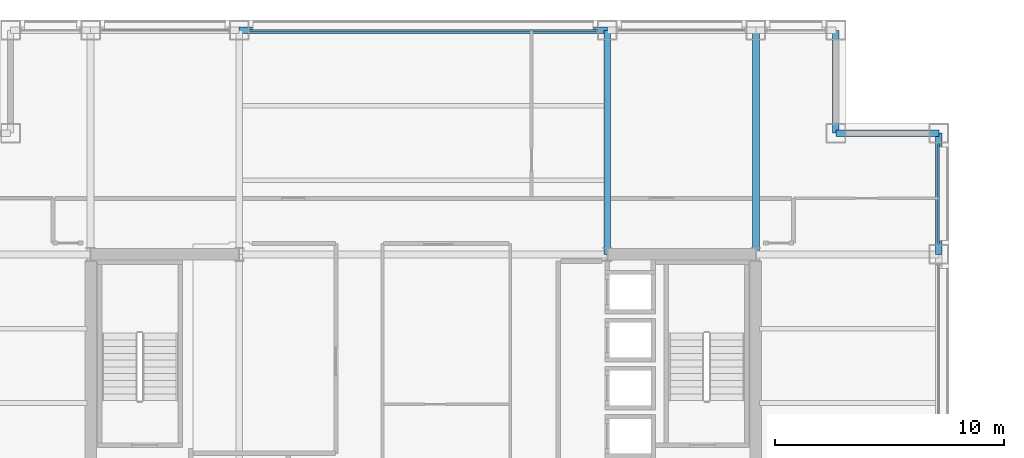
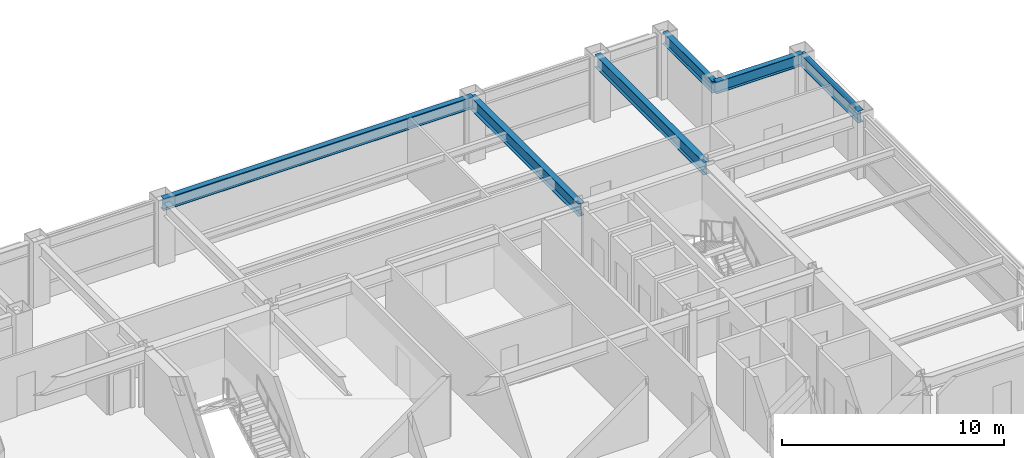
# One storey, part 20 of 29: 6 beams, 2 members, 2 elements without a shape of their own.
"""IFC4 building model written with IfcOpenShell, lengths in metres."""

from ifc_helpers import new_model, si_unit, direction, frame, origin, origin_2d, place, context, subcontext, project, spatial, hollow_rectangle, i_section, extrude, material, layer, layer_set, material_profile, profile_set, type_object, element, aggregate, save


model = new_model("IFC4")

# Units and contexts
model_context = context("Model", 3, precision=1e-05, world=origin(), true_north=direction((0.0, 1.0)))
body_context = subcontext(model_context, "Body", "Model", "MODEL_VIEW")
ifc_project = project(units=[si_unit("LENGTHUNIT", "METRE"), si_unit("AREAUNIT", "SQUARE_METRE"), si_unit("VOLUMEUNIT", "CUBIC_METRE"), si_unit("PLANEANGLEUNIT", "RADIAN"), si_unit("MASSUNIT", "GRAM", prefix="KILO")], contexts=[model_context])

# Site, building, storey
site_placement = place(None, origin())
site = spatial("IfcSite", under=ifc_project, at=site_placement, CompositionType="ELEMENT")
building_placement = place(site_placement, origin())
building = spatial("IfcBuilding", under=site, at=building_placement, Name="Brelmoor Portico Tower", CompositionType="ELEMENT")
storey_placement = place(building_placement, frame((0.0, 0.0, 95.39990234375)))
storey = spatial("IfcBuildingStorey", under=building, at=storey_placement, Name="L24", CompositionType="ELEMENT", Elevation=95.39990234375)

# Beams
ifc_material_1 = material(Name="Steel Q355B", Category="steel")
ifc_material_profile_1 = material_profile(ifc_material_1, i_section(OverallWidth=0.300048828125, OverallDepth=0.699951171875, WebThickness=0.012939453125, FlangeThickness=0.02392578125, at=origin_2d()), Name="HN 700x300x13x24")
ifc_profile_set_1 = profile_set([ifc_material_profile_1], Name="Steel Q355B")
beam_type_1 = type_object("IfcBeamType", Name="BM-PG-700", PredefinedType="BEAM", material=ifc_profile_set_1)
for number, where, z_axis, x_axis, name in (
    (1, (8.050048828125, 9.75, 3.050048828125), (0.0, 1.0, 0.0), (-1.0, 0.0, 0.0), "L24 Primary Floor Girder PG-09"),
    (2, (14.550048828125, 9.75, 3.050048828125), (0.0, 1.0, 0.0), (-1.0, 0.0, 0.0), "L24 Primary Floor Girder PG-13"),
):
    element("IfcBeam", number, at=place(storey_placement, frame(where, z_axis=z_axis, x_axis=x_axis)), inside=storey, type_object=beam_type_1, Name=name, PredefinedType="BEAM", context=body_context, shape_type="SweptSolid", body=[
        extrude(i_section(OverallWidth=0.300048828125, OverallDepth=0.699951171875, WebThickness=0.012939453125, FlangeThickness=0.02392578125, at=origin_2d()), origin(), (0.0, 0.0, 1.0), 9.800048828125),
    ])
ifc_material_profile_2 = material_profile(ifc_material_1, i_section(OverallWidth=0.280029296875, OverallDepth=0.64990234375, WebThickness=0.012939453125, FlangeThickness=0.02197265625, at=origin_2d()), Name="HN 650x280x13x22")
ifc_profile_set_2 = profile_set([ifc_material_profile_2], Name="Steel Q355B")
beam_type_2 = type_object("IfcBeamType", Name="BM-SP-650", PredefinedType="SPANDREL", material=ifc_profile_set_2)
beam_1_placement = place(storey_placement, frame((18.050048828125, 15.050048828125, 3.0751953125), z_axis=(1.0, 0.0, 0.0), x_axis=(0.0, 1.0, 0.0)))
element("IfcBeam", 3, at=beam_1_placement, inside=storey, type_object=beam_type_2, Name="L24 Perimeter Spandrel Beam SP-09", PredefinedType="SPANDREL", context=body_context, shape_type="SweptSolid", body=[
    extrude(i_section(OverallWidth=0.280029296875, OverallDepth=0.64990234375, WebThickness=0.012939453125, FlangeThickness=0.02197265625, at=origin_2d()), origin(), (0.0, 0.0, 1.0), 4.5),
])
beam_2_placement = place(storey_placement, frame((-8.050048828125, 19.550048828125, 3.0751953125), z_axis=(1.0, 0.0, 0.0), x_axis=(0.0, 1.0, 0.0)))
element("IfcBeam", 4, at=beam_2_placement, inside=storey, type_object=beam_type_2, Name="L24 Perimeter Spandrel Beam SP-12", PredefinedType="SPANDREL", context=body_context, shape_type="SweptSolid", body=[
    extrude(i_section(OverallWidth=0.280029296875, OverallDepth=0.64990234375, WebThickness=0.012939453125, FlangeThickness=0.02197265625, at=origin_2d()), origin(), (0.0, 0.0, 1.0), 16.10009765625),
])
beam_3_placement = place(storey_placement, frame((18.050048828125, 15.050048828125, 3.0751953125), z_axis=(0.0, 1.0, 0.0), x_axis=(-1.0, 0.0, 0.0)))
element("IfcBeam", 5, at=beam_3_placement, inside=storey, type_object=beam_type_2, Name="L24 Perimeter Spandrel Beam SP-21", PredefinedType="SPANDREL", context=body_context, shape_type="SweptSolid", body=[
    extrude(i_section(OverallWidth=0.280029296875, OverallDepth=0.64990234375, WebThickness=0.012939453125, FlangeThickness=0.02197265625, at=origin_2d()), origin(), (0.0, 0.0, 1.0), 4.5),
])
beam_4_placement = place(storey_placement, frame((22.550048828125, 9.75, 3.0751953125), z_axis=(0.0, 1.0, 0.0), x_axis=(-1.0, 0.0, 0.0)))
element("IfcBeam", 6, at=beam_4_placement, inside=storey, type_object=beam_type_2, Name="L24 Perimeter Spandrel Beam SP-24", PredefinedType="SPANDREL", context=body_context, shape_type="SweptSolid", body=[
    extrude(i_section(OverallWidth=0.280029296875, OverallDepth=0.64990234375, WebThickness=0.012939453125, FlangeThickness=0.02197265625, at=origin_2d()), origin(), (0.0, 0.0, 1.0), 5.300048828125),
])

# Curtain wall, member
ifc_material_2 = material(Name="Anodised Aluminium Alloy 6063-T6", Category="aluminium")
ifc_layer = layer(ifc_material_2, 0.179931640625)
ifc_layer_set = layer_set([ifc_layer], Name="Anodised Aluminium Alloy 6063-T6")
curtain_wall_type = type_object("IfcCurtainWallType", Name="CW-TOWER-Z2-XB", PredefinedType="NOTDEFINED", material=ifc_layer_set)
curtain_wall_1_placement = place(storey_placement, origin())
curtain_wall_1 = element("IfcCurtainWall", 7, at=curtain_wall_1_placement, inside=storey, type_object=curtain_wall_type, Name="L24 Curtain Wall CW-L24-02-3", PredefinedType="NOTDEFINED")
ifc_material_profile_3 = material_profile(ifc_material_2, hollow_rectangle(XDim=0.06494140625, YDim=0.139892578125, WallThickness=0.00390625, at=origin_2d()), Name="ALU TRANSOM 65x140")
ifc_profile_set_3 = profile_set([ifc_material_profile_3], Name="Anodised Aluminium Alloy 6063-T6")
member_type = type_object("IfcMemberType", Name="MB-CW-TRAN-140", PredefinedType="USERDEFINED", material=ifc_profile_set_3)
member_1_placement = place(storey_placement, frame((-7.614990234375, 19.550048828125, 3.330078125), z_axis=(1.0, 0.0, 0.0), x_axis=(0.0, 1.0, 0.0)))
member_1 = element("IfcMember", 8, at=member_1_placement, type_object=member_type, Name="CW-L24-02-3 Transom 1-00", ObjectType="TRANSOM", PredefinedType="USERDEFINED", context=body_context, shape_type="SweptSolid", body=[
    extrude(hollow_rectangle(XDim=0.06494140625, YDim=0.139892578125, WallThickness=0.00390625, at=origin_2d()), origin(), (0.0, 0.0, 1.0), 15.22998046875),
])
aggregate(curtain_wall_1, [member_1])

curtain_wall_2_placement = place(storey_placement, origin())
curtain_wall_2 = element("IfcCurtainWall", 9, at=curtain_wall_2_placement, inside=storey, type_object=curtain_wall_type, Name="L24 Curtain Wall CW-L24-4R-2", PredefinedType="NOTDEFINED")
member_2_placement = place(storey_placement, frame((22.550048828125, 10.18505859375, 3.330078125), z_axis=(0.0, 1.0, 0.0), x_axis=(-1.0, 0.0, 0.0)))
member_2 = element("IfcMember", 10, at=member_2_placement, type_object=member_type, Name="CW-L24-4R-2 Transom 1-00", ObjectType="TRANSOM", PredefinedType="USERDEFINED", context=body_context, shape_type="SweptSolid", body=[
    extrude(hollow_rectangle(XDim=0.06494140625, YDim=0.139892578125, WallThickness=0.00390625, at=origin_2d()), origin(), (0.0, 0.0, 1.0), 4.429931640625),
])
aggregate(curtain_wall_2, [member_2])

save(model, "model.ifc")
